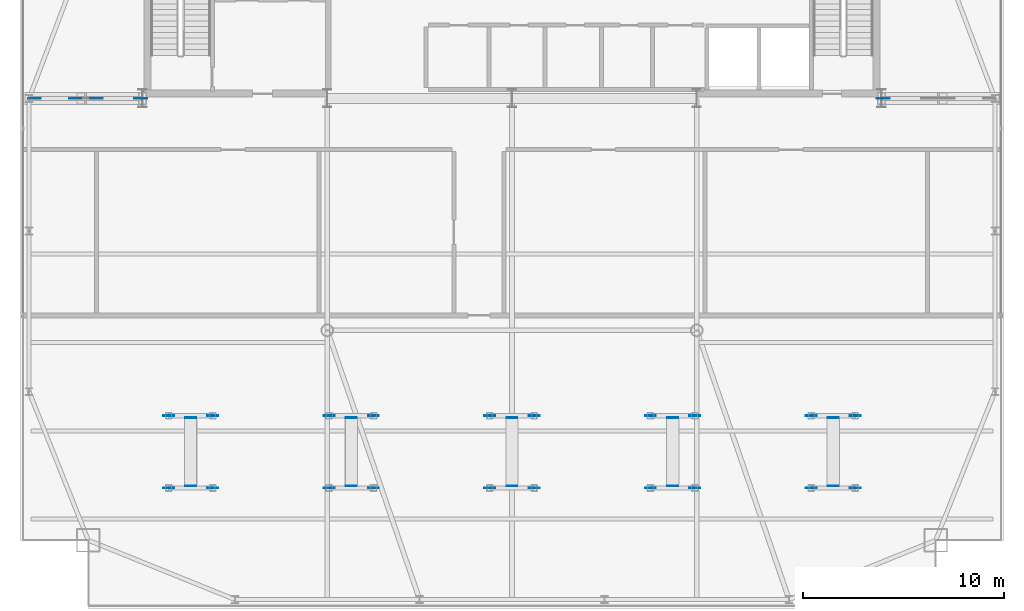
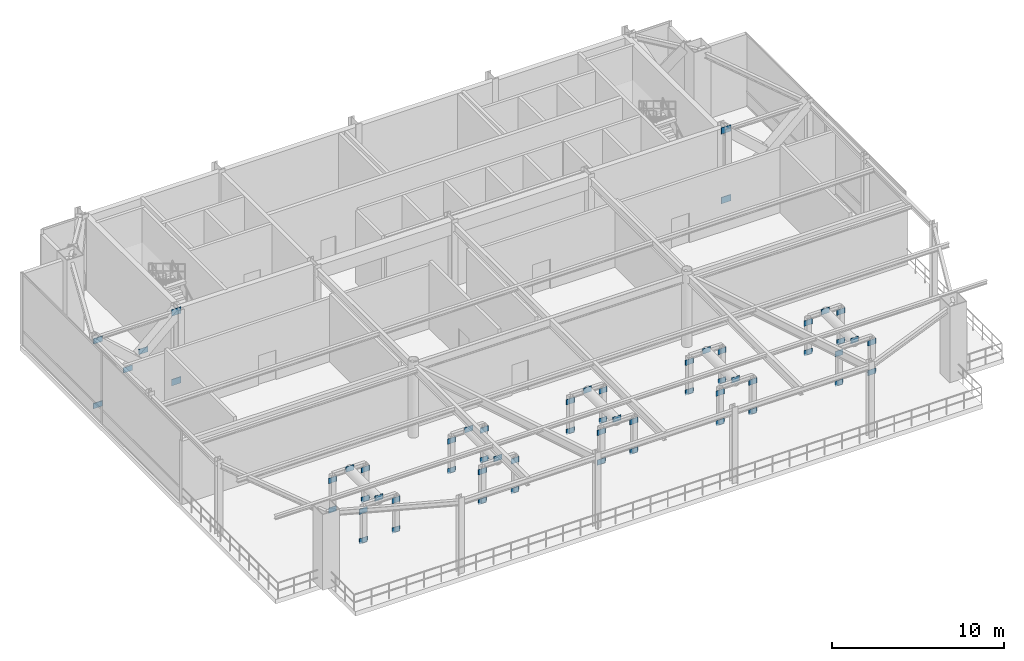
# One storey, part 17 of 21: 58 plates.
"""IFC4 building model written with IfcOpenShell, lengths in metres."""

from ifc_helpers import new_model, si_unit, direction, frame, origin, origin_2d, place, context, subcontext, project, spatial, rectangle, extrude, source, transform, mapped, material, layer, layer_set, type_object, type_shapes, element, save


model = new_model("IFC4")

# Units and contexts
model_context = context("Model", 3, precision=1e-05, world=origin(), true_north=direction((0.0, 1.0)))
body_context = subcontext(model_context, "Body", "Model", "MODEL_VIEW")
ifc_project = project(units=[si_unit("LENGTHUNIT", "METRE"), si_unit("AREAUNIT", "SQUARE_METRE"), si_unit("VOLUMEUNIT", "CUBIC_METRE"), si_unit("PLANEANGLEUNIT", "RADIAN"), si_unit("MASSUNIT", "GRAM", prefix="KILO")], contexts=[model_context])

# Site, building, storey
site_placement = place(None, origin())
site = spatial("IfcSite", under=ifc_project, at=site_placement, CompositionType="ELEMENT")
building_placement = place(site_placement, origin())
building = spatial("IfcBuilding", under=site, at=building_placement, Name="Varnel Quay Broadcast Tower", CompositionType="ELEMENT")
storey_placement = place(building_placement, frame((0.0, 0.0, 234.0)))
storey = spatial("IfcBuildingStorey", under=building, at=storey_placement, Name="L58", CompositionType="ELEMENT", Elevation=234.0)

# Plates
ifc_material = material(Name="Structural Steel CSA G40.21 350WT", Category="steel")
ifc_layer_1 = layer(ifc_material, 0.031982421875, Name="Structural Steel CSA G40.21 350WT")
ifc_layer_set_1 = layer_set([ifc_layer_1], Name="Structural Steel CSA G40.21 350WT")
plate_type_1 = type_object("IfcPlateType", Name="Plate_EndCap", PredefinedType="USERDEFINED", material=ifc_layer_set_1)
shared_shape_1 = source(origin(), body_context, "Body", "SweptSolid", [
    extrude(rectangle(XDim=0.5400390625, YDim=0.031982421875, at=origin_2d()), origin(), (0.0, 0.0, 1.0), 0.3798828125),
])
for number, where, z_axis, x_axis, name in (
    (1, (16.89990234375, 16.199951171875, -0.1298828125), (0.0, 0.0, 1.0), (1.0, 0.0, 0.0), "L58 Turbine 1 Post WS End Connection Plate P0"),
    (2, (16.89990234375, 16.199951171875, 1.97998046875), (0.0, 0.0, 1.0), (1.0, 0.0, 0.0), "L58 Turbine 1 Post WS End Connection Plate P1"),
    (3, (16.89990234375, 19.800048828125, -0.1298828125), (0.0, 0.0, 1.0), (1.0, 0.0, 0.0), "L58 Turbine 1 Post WN End Connection Plate P0"),
    (4, (16.89990234375, 19.800048828125, 1.97998046875), (0.0, 0.0, 1.0), (1.0, 0.0, 0.0), "L58 Turbine 1 Post WN End Connection Plate P1"),
    (5, (19.10009765625, 16.199951171875, -0.1298828125), (0.0, 0.0, 1.0), (1.0, 0.0, 0.0), "L58 Turbine 1 Post ES End Connection Plate P0"),
    (6, (19.10009765625, 16.199951171875, 1.97998046875), (0.0, 0.0, 1.0), (1.0, 0.0, 0.0), "L58 Turbine 1 Post ES End Connection Plate P1"),
    (7, (19.10009765625, 19.800048828125, -0.1298828125), (0.0, 0.0, 1.0), (1.0, 0.0, 0.0), "L58 Turbine 1 Post EN End Connection Plate P0"),
    (8, (19.10009765625, 19.800048828125, 1.97998046875), (0.0, 0.0, 1.0), (1.0, 0.0, 0.0), "L58 Turbine 1 Post EN End Connection Plate P1"),
    (9, (18.0, 16.300048828125, 2.465087890625), (0.0, 0.0, 1.0), (1.0, 0.0, 0.0), "L58 Turbine 1 Hub End Connection Plate P0"),
    (10, (18.0, 19.699951171875, 2.465087890625), (0.0, 0.0, 1.0), (1.0, 0.0, 0.0), "L58 Turbine 1 Hub End Connection Plate P1"),
    (11, (24.89990234375, 16.199951171875, -0.1298828125), (0.0, 0.0, 1.0), (1.0, 0.0, 0.0), "L58 Turbine 2 Post WS End Connection Plate P0"),
    (12, (24.89990234375, 16.199951171875, 1.97998046875), (0.0, 0.0, 1.0), (1.0, 0.0, 0.0), "L58 Turbine 2 Post WS End Connection Plate P1"),
    (13, (24.89990234375, 19.800048828125, -0.1298828125), (0.0, 0.0, 1.0), (1.0, 0.0, 0.0), "L58 Turbine 2 Post WN End Connection Plate P0"),
    (14, (24.89990234375, 19.800048828125, 1.97998046875), (0.0, 0.0, 1.0), (1.0, 0.0, 0.0), "L58 Turbine 2 Post WN End Connection Plate P1"),
    (15, (27.10009765625, 16.199951171875, -0.1298828125), (0.0, 0.0, 1.0), (1.0, 0.0, 0.0), "L58 Turbine 2 Post ES End Connection Plate P0"),
    (16, (27.10009765625, 16.199951171875, 1.97998046875), (0.0, 0.0, 1.0), (1.0, 0.0, 0.0), "L58 Turbine 2 Post ES End Connection Plate P1"),
    (17, (27.10009765625, 19.800048828125, -0.1298828125), (0.0, 0.0, 1.0), (1.0, 0.0, 0.0), "L58 Turbine 2 Post EN End Connection Plate P0"),
    (18, (27.10009765625, 19.800048828125, 1.97998046875), (0.0, 0.0, 1.0), (1.0, 0.0, 0.0), "L58 Turbine 2 Post EN End Connection Plate P1"),
    (19, (26.0, 16.300048828125, 2.465087890625), (0.0, 0.0, 1.0), (1.0, 0.0, 0.0), "L58 Turbine 2 Hub End Connection Plate P0"),
    (20, (26.0, 19.699951171875, 2.465087890625), (0.0, 0.0, 1.0), (1.0, 0.0, 0.0), "L58 Turbine 2 Hub End Connection Plate P1"),
    (21, (32.89990234375, 16.199951171875, -0.1298828125), (0.0, 0.0, 1.0), (1.0, 0.0, 0.0), "L58 Turbine 3 Post WS End Connection Plate P0"),
    (22, (32.89990234375, 16.199951171875, 1.97998046875), (0.0, 0.0, 1.0), (1.0, 0.0, 0.0), "L58 Turbine 3 Post WS End Connection Plate P1"),
    (23, (32.89990234375, 19.800048828125, -0.1298828125), (0.0, 0.0, 1.0), (1.0, 0.0, 0.0), "L58 Turbine 3 Post WN End Connection Plate P0"),
    (24, (32.89990234375, 19.800048828125, 1.97998046875), (0.0, 0.0, 1.0), (1.0, 0.0, 0.0), "L58 Turbine 3 Post WN End Connection Plate P1"),
    (25, (35.10009765625, 16.199951171875, -0.1298828125), (0.0, 0.0, 1.0), (1.0, 0.0, 0.0), "L58 Turbine 3 Post ES End Connection Plate P0"),
    (26, (35.10009765625, 16.199951171875, 1.97998046875), (0.0, 0.0, 1.0), (1.0, 0.0, 0.0), "L58 Turbine 3 Post ES End Connection Plate P1"),
    (27, (35.10009765625, 19.800048828125, -0.1298828125), (0.0, 0.0, 1.0), (1.0, 0.0, 0.0), "L58 Turbine 3 Post EN End Connection Plate P0"),
    (28, (35.10009765625, 19.800048828125, 1.97998046875), (0.0, 0.0, 1.0), (1.0, 0.0, 0.0), "L58 Turbine 3 Post EN End Connection Plate P1"),
    (29, (34.0, 16.300048828125, 2.465087890625), (0.0, 0.0, 1.0), (1.0, 0.0, 0.0), "L58 Turbine 3 Hub End Connection Plate P0"),
    (30, (34.0, 19.699951171875, 2.465087890625), (0.0, 0.0, 1.0), (1.0, 0.0, 0.0), "L58 Turbine 3 Hub End Connection Plate P1"),
    (31, (40.89990234375, 16.199951171875, -0.1298828125), (0.0, 0.0, 1.0), (1.0, 0.0, 0.0), "L58 Turbine 4 Post WS End Connection Plate P0"),
    (32, (40.89990234375, 16.199951171875, 1.97998046875), (0.0, 0.0, 1.0), (1.0, 0.0, 0.0), "L58 Turbine 4 Post WS End Connection Plate P1"),
    (33, (40.89990234375, 19.800048828125, -0.1298828125), (0.0, 0.0, 1.0), (1.0, 0.0, 0.0), "L58 Turbine 4 Post WN End Connection Plate P0"),
    (34, (40.89990234375, 19.800048828125, 1.97998046875), (0.0, 0.0, 1.0), (1.0, 0.0, 0.0), "L58 Turbine 4 Post WN End Connection Plate P1"),
    (35, (43.10009765625, 16.199951171875, -0.1298828125), (0.0, 0.0, 1.0), (1.0, 0.0, 0.0), "L58 Turbine 4 Post ES End Connection Plate P0"),
    (36, (43.10009765625, 16.199951171875, 1.97998046875), (0.0, 0.0, 1.0), (1.0, 0.0, 0.0), "L58 Turbine 4 Post ES End Connection Plate P1"),
    (37, (43.10009765625, 19.800048828125, -0.1298828125), (0.0, 0.0, 1.0), (1.0, 0.0, 0.0), "L58 Turbine 4 Post EN End Connection Plate P0"),
    (38, (43.10009765625, 19.800048828125, 1.97998046875), (0.0, 0.0, 1.0), (1.0, 0.0, 0.0), "L58 Turbine 4 Post EN End Connection Plate P1"),
    (39, (42.0, 16.300048828125, 2.465087890625), (0.0, 0.0, 1.0), (1.0, 0.0, 0.0), "L58 Turbine 4 Hub End Connection Plate P0"),
    (40, (42.0, 19.699951171875, 2.465087890625), (0.0, 0.0, 1.0), (1.0, 0.0, 0.0), "L58 Turbine 4 Hub End Connection Plate P1"),
    (41, (48.89990234375, 16.199951171875, -0.1298828125), (0.0, 0.0, 1.0), (1.0, 0.0, 0.0), "L58 Turbine 5 Post WS End Connection Plate P0"),
    (42, (48.89990234375, 16.199951171875, 1.97998046875), (0.0, 0.0, 1.0), (1.0, 0.0, 0.0), "L58 Turbine 5 Post WS End Connection Plate P1"),
    (43, (48.89990234375, 19.800048828125, -0.1298828125), (0.0, 0.0, 1.0), (1.0, 0.0, 0.0), "L58 Turbine 5 Post WN End Connection Plate P0"),
    (44, (48.89990234375, 19.800048828125, 1.97998046875), (0.0, 0.0, 1.0), (1.0, 0.0, 0.0), "L58 Turbine 5 Post WN End Connection Plate P1"),
    (45, (51.10009765625, 16.199951171875, -0.1298828125), (0.0, 0.0, 1.0), (1.0, 0.0, 0.0), "L58 Turbine 5 Post ES End Connection Plate P0"),
    (46, (51.10009765625, 16.199951171875, 1.97998046875), (0.0, 0.0, 1.0), (1.0, 0.0, 0.0), "L58 Turbine 5 Post ES End Connection Plate P1"),
    (47, (51.10009765625, 19.800048828125, -0.1298828125), (0.0, 0.0, 1.0), (1.0, 0.0, 0.0), "L58 Turbine 5 Post EN End Connection Plate P0"),
    (48, (51.10009765625, 19.800048828125, 1.97998046875), (0.0, 0.0, 1.0), (1.0, 0.0, 0.0), "L58 Turbine 5 Post EN End Connection Plate P1"),
    (49, (50.0, 16.300048828125, 2.465087890625), (0.0, 0.0, 1.0), (1.0, 0.0, 0.0), "L58 Turbine 5 Hub End Connection Plate P0"),
    (50, (50.0, 19.699951171875, 2.465087890625), (0.0, 0.0, 1.0), (1.0, 0.0, 0.0), "L58 Turbine 5 Hub End Connection Plate P1"),
):
    element("IfcPlate", number, at=place(storey_placement, frame(where, z_axis=z_axis, x_axis=x_axis)), inside=storey, type_object=plate_type_1, Name=name, ObjectType="CAP_PLATE", PredefinedType="USERDEFINED", context=body_context, shape_type="MappedRepresentation", body=[
        mapped(shared_shape_1, transform((0.0, 0.0, 0.0), x_axis=(1.0, 0.0, 0.0), y_axis=(0.0, 1.0, 0.0), z_axis=(0.0, 0.0, 1.0), scale=1.0)),
    ])
ifc_layer_2 = layer(ifc_material, 0.0400390625, Name="Structural Steel CSA G40.21 350WT")
ifc_layer_set_2 = layer_set([ifc_layer_2], Name="Structural Steel CSA G40.21 350WT")
plate_type_2 = type_object("IfcPlateType", Name="Plate_EmbedPlate", PredefinedType="USERDEFINED", material=ifc_layer_set_2)
shared_shape_2 = source(origin(), body_context, "Body", "SweptSolid", [
    extrude(rectangle(XDim=0.639892578125, YDim=0.0400390625, at=origin_2d()), origin(), (0.0, 0.0, 1.0), 0.449951171875),
])
type_shapes(plate_type_2, [shared_shape_2])
for number, where, z_axis, x_axis, name in (
    (51, (15.510986328125, 35.60009765625, -0.12451171875), (0.0, 0.0, 1.0), (1.0, 0.0, 0.0), "L58 Outrigger W Diag A Wall Cast-In Embed Plate P0"),
    (52, (15.510986328125, 35.60009765625, 4.82470703125), (0.0, 0.0, 1.0), (1.0, 0.0, 0.0), "L58 Outrigger W Diag B2 Wall Cast-In Embed Plate P1"),
    (53, (52.489013671875, 35.60009765625, -0.12451171875), (0.0, 0.0, 1.0), (1.0, 0.0, 0.0), "L58 Outrigger E Diag A Wall Cast-In Embed Plate P0"),
    (54, (52.489013671875, 35.60009765625, 4.82470703125), (0.0, 0.0, 1.0), (1.0, 0.0, 0.0), "L58 Outrigger E Diag B2 Wall Cast-In Embed Plate P1"),
):
    element("IfcPlate", number, at=place(storey_placement, frame(where, z_axis=z_axis, x_axis=x_axis)), inside=storey, type_object=plate_type_2, Name=name, ObjectType="EMBED_PLATE", PredefinedType="USERDEFINED", context=body_context, shape_type="MappedRepresentation", body=[
        mapped(shared_shape_2, transform((0.0, 0.0, 0.0), x_axis=(1.0, 0.0, 0.0), y_axis=(0.0, 1.0, 0.0), z_axis=(0.0, 0.0, 1.0), scale=1.0)),
    ])
shared_shape_3 = source(origin(), body_context, "Body", "SweptSolid", [
    extrude(rectangle(XDim=0.6201171875, YDim=0.031982421875, at=origin_2d()), origin(), (0.0, 0.0, 1.0), 0.3798828125),
])
type_shapes(plate_type_1, [shared_shape_1, shared_shape_3])
for number, where, z_axis, x_axis, name in (
    (55, (10.231689453125, 35.60009765625, 4.68505859375), (0.0, 0.0, 1.0), (1.0, 0.0, 0.0), "L58 Outrigger W Diag A End Connection Plate P1"),
    (56, (10.231689453125, 35.60009765625, 0.0849609375), (0.0, 0.0, 1.0), (1.0, 0.0, 0.0), "L58 Outrigger W Diag B1 End Connection Plate P0"),
    (57, (12.2509765625, 35.60009765625, 1.9111328125), (0.0, 0.0, 1.0), (1.0, 0.0, 0.0), "L58 Outrigger W Diag B1 End Connection Plate P1"),
    (58, (13.299072265625, 35.60009765625, 2.85888671875), (0.0, 0.0, 1.0), (1.0, 0.0, 0.0), "L58 Outrigger W Diag B2 End Connection Plate P0"),
):
    element("IfcPlate", number, at=place(storey_placement, frame(where, z_axis=z_axis, x_axis=x_axis)), inside=storey, type_object=plate_type_1, Name=name, ObjectType="CAP_PLATE", PredefinedType="USERDEFINED", context=body_context, shape_type="MappedRepresentation", body=[
        mapped(shared_shape_3, transform((0.0, 0.0, 0.0), x_axis=(1.0, 0.0, 0.0), y_axis=(0.0, 1.0, 0.0), z_axis=(0.0, 0.0, 1.0), scale=1.0)),
    ])

save(model, "model.ifc")
